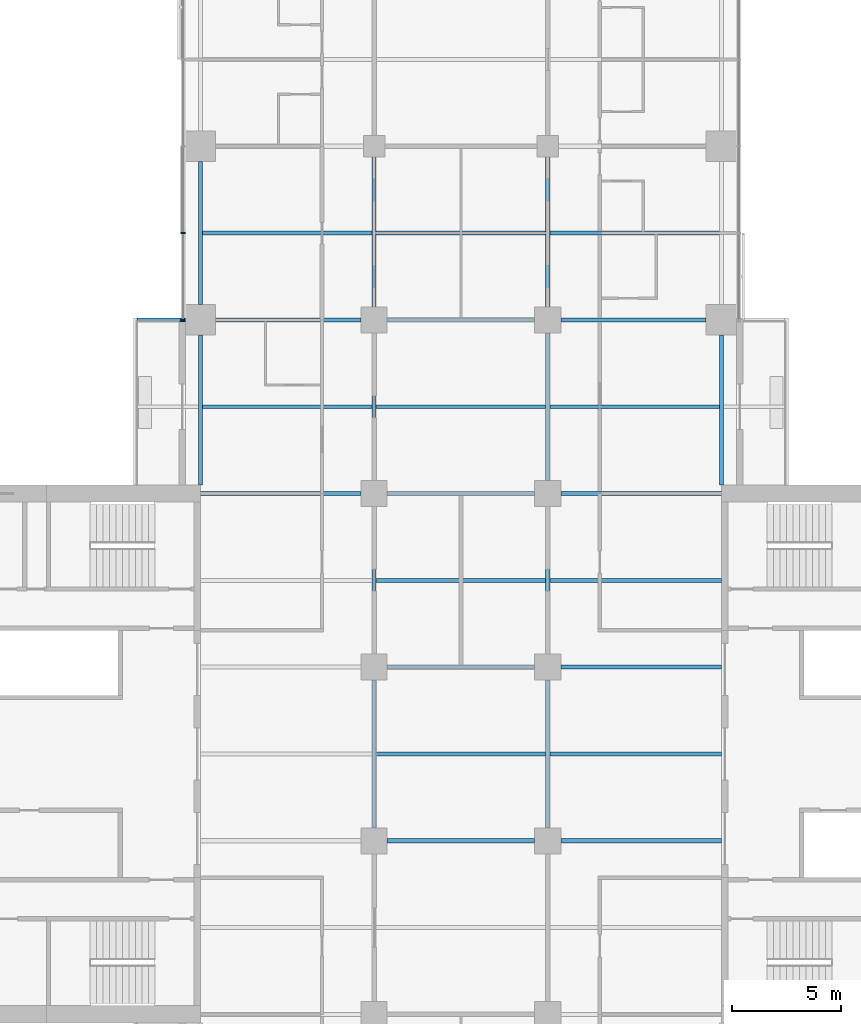
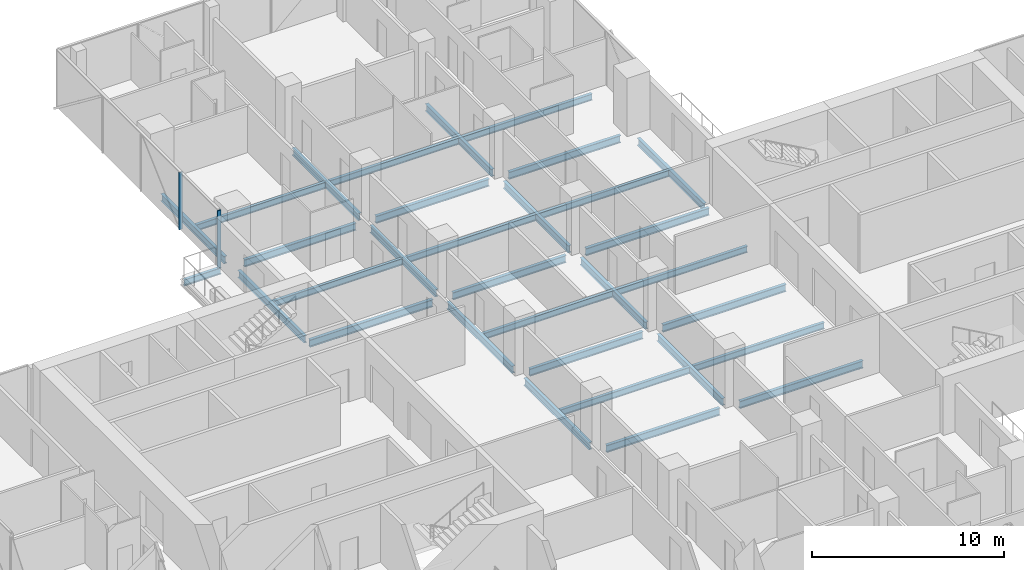
# One storey, part 9 of 27: 32 beams, 2 members, 1 element without a shape of its own.
"""IFC4 building model written with IfcOpenShell, lengths in metres."""

import ifcopenshell
import ifcopenshell.guid

model = None  # the IFC model being written
_history = None  # IfcOwnerHistory: only IFC2X3 demands one
_inside = {}  # id of a spatial element -> (the spatial element, [elements in it])
_under = {}  # id of a project, library or spatial element -> (it, [spatial elements below it])
_declared = {}  # id of a project -> (the project, [libraries it declares])
_typed = {}  # id of a type object -> (the type object, [elements of that type])
_made_of = {}  # id of a material, layer set ... -> (it, [elements and type objects made of it])


def new_model(schema):
    """Start an empty IFC model of exactly this schema.

    Asked for "IFC4X3", IfcOpenShell would pick the latest addendum, in which some entities
    have other attributes; the version numbers below select the first issue.
    IFC2X3 requires an IfcOwnerHistory on every rooted entity: one is made here for all.
    """
    global model, _history
    if schema == "IFC4X3":
        model = ifcopenshell.file(schema_version=(4, 3, 0, 0))
    else:
        model = ifcopenshell.file(schema=schema)
    _inside.clear()
    _under.clear()
    _declared.clear()
    _typed.clear()
    _made_of.clear()
    _history = None
    if model.schema == "IFC2X3":
        org = make("IfcOrganization", Name="unknown")
        user = make(
            "IfcPersonAndOrganization",
            ThePerson=make("IfcPerson", FamilyName="unknown"),
            TheOrganization=org,
        )
        app = make(
            "IfcApplication",
            ApplicationDeveloper=org,
            Version="unknown",
            ApplicationFullName="unknown",
            ApplicationIdentifier="unknown",
        )
        _history = make(
            "IfcOwnerHistory",
            OwningUser=user,
            OwningApplication=app,
            ChangeAction="ADDED",
            CreationDate=0,
        )
    return model


def make(cls, **values):
    """One entity of the class cls with the attributes given. An attribute that is None is left unset."""
    return model.create_entity(
        cls, **{name: value for name, value in values.items() if value is not None}
    )


def rooted(cls, **values):
    """An entity with a GlobalId (a new one), such as an element, a storey or a relation."""
    return make(cls, GlobalId=ifcopenshell.guid.new(), OwnerHistory=_history, **values)


def si_unit(unit_type, name, prefix=None):
    """IfcSIUnit, for example si_unit("LENGTHUNIT", "METRE", prefix="MILLI")."""
    return make("IfcSIUnit", UnitType=unit_type, Prefix=prefix, Name=name)


def assignment(units):
    """IfcUnitAssignment: the units of a project."""
    return None if units is None else make("IfcUnitAssignment", Units=units)


def point(xyz):
    """IfcCartesianPoint."""
    return None if xyz is None else make("IfcCartesianPoint", Coordinates=xyz)


def direction(xyz):
    """IfcDirection."""
    return None if xyz is None else make("IfcDirection", DirectionRatios=xyz)


def frame(location, z_axis=None, x_axis=None):
    """IfcAxis2Placement3D, a coordinate frame: its origin and axes. An axis left out is left unset."""
    return make(
        "IfcAxis2Placement3D",
        Location=point(location),
        Axis=direction(z_axis),
        RefDirection=direction(x_axis),
    )


def frame_2d(location, x_axis=None):
    """IfcAxis2Placement2D, a coordinate frame in the plane: its origin and x axis."""
    return make(
        "IfcAxis2Placement2D", Location=point(location), RefDirection=direction(x_axis)
    )


def origin():
    """The frame at (0, 0, 0) with its axes left unset."""
    return frame((0.0, 0.0, 0.0))


def origin_2d():
    """The frame at (0, 0) in the plane with its x axis left unset."""
    return frame_2d((0.0, 0.0))


def place(relative_to, where):
    """IfcLocalPlacement: puts the frame where relative to a parent placement (None: the world)."""
    return make(
        "IfcLocalPlacement", PlacementRelTo=relative_to, RelativePlacement=where
    )


def context(
    kind, dimensions, precision=None, world=None, true_north=None, identifier=None
):
    """IfcGeometricRepresentationContext, for example the 3D "Model" context."""
    return make(
        "IfcGeometricRepresentationContext",
        ContextIdentifier=identifier,
        ContextType=kind,
        CoordinateSpaceDimension=dimensions,
        Precision=precision,
        WorldCoordinateSystem=world,
        TrueNorth=true_north,
    )


def subcontext(parent, identifier, kind, view, scale=None):
    """IfcGeometricRepresentationSubContext, for example "Body" below "Model"."""
    return make(
        "IfcGeometricRepresentationSubContext",
        ContextIdentifier=identifier,
        ContextType=kind,
        ParentContext=parent,
        TargetScale=scale,
        TargetView=view,
    )


def project(units=None, contexts=None):
    """IfcProject with its units and contexts."""
    return rooted(
        "IfcProject",
        Name="project",
        RepresentationContexts=contexts,
        UnitsInContext=assignment(units),
    )


def spatial(cls, under=None, at=None, **own):
    """A site, building, storey or space (cls), placed at a placement, below another one or the project."""
    s = rooted(cls, ObjectPlacement=at, **own)
    if under is not None:
        _under.setdefault(under.id(), (under, []))[1].append(s)
    return s


def profile(cls, at=None, kind="AREA", **sizes):
    """A parametric profile (cls). Its sizes go by their IFC names, for example OverallWidth=200.0."""
    return make(cls, ProfileType=kind, Position=at, **sizes)


def rectangle(**sizes):
    """IfcRectangleProfileDef."""
    return profile("IfcRectangleProfileDef", **sizes)


def i_section(**sizes):
    """IfcIShapeProfileDef."""
    return profile("IfcIShapeProfileDef", **sizes)


def extrude(swept, where, along, depth):
    """IfcExtrudedAreaSolid: the profile swept, set in the frame where, extruded along a direction by depth."""
    return make(
        "IfcExtrudedAreaSolid",
        SweptArea=swept,
        Position=where,
        ExtrudedDirection=direction(along),
        Depth=depth,
    )


def shape(context_of_items, identifier, shape_type, items):
    """IfcShapeRepresentation: the items that make up one representation, for example the "Body"."""
    return make(
        "IfcShapeRepresentation",
        ContextOfItems=context_of_items,
        RepresentationIdentifier=identifier,
        RepresentationType=shape_type,
        Items=items,
    )


def material(Name=None, Category=None):
    """IfcMaterial."""
    return make("IfcMaterial", Name=Name, Category=Category)


def material_profile(
    of_material, cross_section, Name=None, Category=None, Priority=None
):
    """IfcMaterialProfile: a cross section and its material."""
    return make(
        "IfcMaterialProfile",
        Name=Name,
        Material=of_material,
        Profile=cross_section,
        Priority=Priority,
        Category=Category,
    )


def profile_set(profiles, Name=None, composite=None):
    """IfcMaterialProfileSet."""
    return make(
        "IfcMaterialProfileSet",
        Name=Name,
        MaterialProfiles=profiles,
        CompositeProfile=composite,
    )


def made_of(thing, what):
    """Note that an element or type object is made of a material, layer set ...; save() writes the relation."""
    if what is not None:
        _made_of.setdefault(what.id(), (what, []))[1].append(thing)
    return thing


def type_object(cls, material=None, **own):
    """A type object (cls), such as IfcWallType, which elements share."""
    return made_of(rooted(cls, **own), material)


def element(
    cls,
    number,
    at=None,
    inside=None,
    cuts=None,
    type_object=None,
    material=None,
    context=None,
    identifier="Body",
    shape_type=None,
    held_by="IfcProductDefinitionShape",
    body=None,
    shapes=None,
    **own,
):
    """One element of the class cls, such as IfcWall. Its Tag is "e" and its number.

    at: its placement. inside: the storey or other place that contains it. cuts: it is an
    opening in that element (IfcRelVoidsElement). A single representation is given by context,
    identifier, shape_type and body (its items); several are given by shapes. held_by: the class
    of the entity that holds the representations. save() writes the other relations.
    """
    e = rooted(cls, Tag="e%d" % number, ObjectPlacement=at, **own)
    if body is not None:
        shapes = [shape(context, identifier, shape_type, body)]
    if shapes is not None:
        e.Representation = make(held_by, Representations=shapes)
    if inside is not None:
        _inside.setdefault(inside.id(), (inside, []))[1].append(e)
    if cuts is not None:
        rooted(
            "IfcRelVoidsElement", RelatingBuildingElement=cuts, RelatedOpeningElement=e
        )
    if type_object is not None:
        _typed.setdefault(type_object.id(), (type_object, []))[1].append(e)
    return made_of(e, material)


def aggregate(whole, parts):
    """IfcRelAggregates: a whole, such as a stair, and the parts it consists of."""
    return rooted("IfcRelAggregates", RelatingObject=whole, RelatedObjects=parts)


def save(model, path):
    """Write the relations noted so far, then the file.

    IfcRelAggregates (storeys below a building ...), IfcRelContainedInSpatialStructure (elements
    in a storey), IfcRelDefinesByType, IfcRelAssociatesMaterial and IfcRelDeclares: one each for
    every whole, place, type object, material and project.
    """
    for whole, parts in _under.values():
        aggregate(whole, parts)
    for where, things in _inside.values():
        rooted(
            "IfcRelContainedInSpatialStructure",
            RelatedElements=things,
            RelatingStructure=where,
        )
    for kind, things in _typed.values():
        rooted("IfcRelDefinesByType", RelatedObjects=things, RelatingType=kind)
    for what, things in _made_of.values():
        rooted("IfcRelAssociatesMaterial", RelatedObjects=things, RelatingMaterial=what)
    for by, libraries in _declared.values():
        rooted("IfcRelDeclares", RelatingContext=by, RelatedDefinitions=libraries)
    model.write(path)


model = new_model("IFC4")

# Units and contexts
model_context = context("Model", 3, precision=1e-05, world=origin(), true_north=direction((0.0, 1.0)))
body_context = subcontext(model_context, "Body", "Model", "MODEL_VIEW")
ifc_project = project(units=[si_unit("LENGTHUNIT", "METRE"), si_unit("AREAUNIT", "SQUARE_METRE"), si_unit("VOLUMEUNIT", "CUBIC_METRE"), si_unit("PLANEANGLEUNIT", "RADIAN"), si_unit("MASSUNIT", "GRAM", prefix="KILO")], contexts=[model_context])

# Site, building, storey
site_placement = place(None, origin())
site = spatial("IfcSite", under=ifc_project, at=site_placement, CompositionType="ELEMENT")
building_placement = place(site_placement, origin())
building = spatial("IfcBuilding", under=site, at=building_placement, Name="Crosswind Convention Tower", CompositionType="ELEMENT")
storey_placement = place(building_placement, frame((0.0, 0.0, 79.39990234375)))
storey = spatial("IfcBuildingStorey", under=building, at=storey_placement, Name="L14", CompositionType="ELEMENT", Elevation=79.39990234375)

# Beams
ifc_material_1 = material(Name="Steel S355", Category="steel")
ifc_material_profile_1 = material_profile(ifc_material_1, i_section(OverallWidth=0.177734375, OverallDepth=0.406494140625, WebThickness=0.0078125, FlangeThickness=0.0126953125, FilletRadius=0.01025390625, at=origin_2d()), Name="UB 406x178x60")
ifc_profile_set_1 = profile_set([ifc_material_profile_1], Name="Steel S355")
beam_type_1 = type_object("IfcBeamType", Name="Balcony cantilever UB 406x178x60", PredefinedType="BEAM", material=ifc_profile_set_1)
beam_1_placement = place(storey_placement, frame((112.300048828125, 120.0, -0.483154296875), z_axis=(-1.0, 0.0, 0.0), x_axis=(0.0, -1.0, 0.0)))
element("IfcBeam", 1, at=beam_1_placement, inside=storey, type_object=beam_type_1, Name="B35 L14 balcony cantilever NW 5", PredefinedType="BEAM", context=body_context, shape_type="SweptSolid", body=[
    extrude(i_section(OverallWidth=0.177734375, OverallDepth=0.406494140625, WebThickness=0.0078125, FlangeThickness=0.0126953125, FilletRadius=0.01025390625, at=origin_2d()), origin(), (0.0, 0.0, 1.0), 2.214599609375),
])
ifc_material_profile_2 = material_profile(ifc_material_1, i_section(OverallWidth=0.1904296875, OverallDepth=0.457275390625, WebThickness=0.009033203125, FlangeThickness=0.014404296875, FilletRadius=0.01025390625, at=origin_2d()), Name="UB 457x191x75")
ifc_profile_set_2 = profile_set([ifc_material_profile_2], Name="Steel S355")
beam_type_2 = type_object("IfcBeamType", Name="Edge beam UB 457x191x75", PredefinedType="SPANDREL", material=ifc_profile_set_2)
beam_2_placement = place(storey_placement, frame((113.0, 112.39990234375, -0.508544921875), z_axis=(0.0, 1.0, 0.0), x_axis=(-1.0, 0.0, 0.0)))
element("IfcBeam", 2, at=beam_2_placement, inside=storey, type_object=beam_type_2, Name="B17 L14 edge beam 9", PredefinedType="SPANDREL", context=body_context, shape_type="SweptSolid", body=[
    extrude(i_section(OverallWidth=0.1904296875, OverallDepth=0.457275390625, WebThickness=0.009033203125, FlangeThickness=0.014404296875, FilletRadius=0.01025390625, at=origin_2d()), origin(), (0.0, 0.0, 1.0), 6.900146484375),
])
beam_3_placement = place(storey_placement, frame((113.0, 120.699951171875, -0.508544921875), z_axis=(0.0, 1.0, 0.0), x_axis=(-1.0, 0.0, 0.0)))
element("IfcBeam", 3, at=beam_3_placement, inside=storey, type_object=beam_type_2, Name="B17 L14 edge beam 10", PredefinedType="SPANDREL", context=body_context, shape_type="SweptSolid", body=[
    extrude(i_section(OverallWidth=0.1904296875, OverallDepth=0.457275390625, WebThickness=0.009033203125, FlangeThickness=0.014404296875, FilletRadius=0.01025390625, at=origin_2d()), origin(), (0.0, 0.0, 1.0), 6.60009765625),
])
beam_4_placement = place(storey_placement, frame((137.0, 112.39990234375, -0.508544921875), z_axis=(0.0, 1.0, 0.0), x_axis=(-1.0, 0.0, 0.0)))
element("IfcBeam", 4, at=beam_4_placement, inside=storey, type_object=beam_type_2, Name="B17 L14 edge beam 21", PredefinedType="SPANDREL", context=body_context, shape_type="SweptSolid", body=[
    extrude(i_section(OverallWidth=0.1904296875, OverallDepth=0.457275390625, WebThickness=0.009033203125, FlangeThickness=0.014404296875, FilletRadius=0.01025390625, at=origin_2d()), origin(), (0.0, 0.0, 1.0), 6.900146484375),
])
ifc_material_profile_3 = material_profile(ifc_material_1, i_section(OverallWidth=0.19140625, OverallDepth=0.460205078125, WebThickness=0.010009765625, FlangeThickness=0.01611328125, FilletRadius=0.01025390625, at=origin_2d()), Name="UB 457x191x82")
ifc_profile_set_3 = profile_set([ifc_material_profile_3], Name="Steel S355")
beam_type_3 = type_object("IfcBeamType", Name="Girder UB 457x191x82", PredefinedType="BEAM", material=ifc_profile_set_3)
beam_5_placement = place(storey_placement, frame((113.699951171875, 120.0, -0.510009765625), z_axis=(1.0, 0.0, 0.0), x_axis=(0.0, 1.0, 0.0)))
element("IfcBeam", 5, at=beam_5_placement, inside=storey, type_object=beam_type_3, Name="B3 L14 girder 3", PredefinedType="BEAM", context=body_context, shape_type="SweptSolid", body=[
    extrude(i_section(OverallWidth=0.19140625, OverallDepth=0.460205078125, WebThickness=0.010009765625, FlangeThickness=0.01611328125, FilletRadius=0.01025390625, at=origin_2d()), origin(), (0.0, 0.0, 1.0), 6.699951171875),
])
for number, where, z_axis, x_axis, name in (
    (6, (121.0, 96.60009765625, -0.510009765625), (0.0, 1.0, 0.0), (-1.0, 0.0, 0.0), "B3 L14 girder 9"),
    (7, (121.0, 104.60009765625, -0.510009765625), (0.0, 1.0, 0.0), (-1.0, 0.0, 0.0), "B3 L14 girder 10"),
    (8, (121.0, 112.60009765625, -0.510009765625), (0.0, 1.0, 0.0), (-1.0, 0.0, 0.0), "B3 L14 girder 11"),
):
    element("IfcBeam", number, at=place(storey_placement, frame(where, z_axis=z_axis, x_axis=x_axis)), inside=storey, type_object=beam_type_3, Name=name, PredefinedType="BEAM", context=body_context, shape_type="SweptSolid", body=[
        extrude(i_section(OverallWidth=0.19140625, OverallDepth=0.460205078125, WebThickness=0.010009765625, FlangeThickness=0.01611328125, FilletRadius=0.01025390625, at=origin_2d()), origin(), (0.0, 0.0, 1.0), 6.7998046875),
    ])
beam_6_placement = place(storey_placement, frame((121.0, 120.60009765625, -0.510009765625), z_axis=(0.0, 1.0, 0.0), x_axis=(-1.0, 0.0, 0.0)))
element("IfcBeam", 9, at=beam_6_placement, inside=storey, type_object=beam_type_3, Name="B3 L14 girder 12", PredefinedType="BEAM", context=body_context, shape_type="SweptSolid", body=[
    extrude(i_section(OverallWidth=0.19140625, OverallDepth=0.460205078125, WebThickness=0.010009765625, FlangeThickness=0.01611328125, FilletRadius=0.01025390625, at=origin_2d()), origin(), (0.0, 0.0, 1.0), 6.89990234375),
])
for number, where, z_axis, x_axis, name in (
    (10, (121.60009765625, 96.0, -0.510009765625), (1.0, 0.0, 0.0), (0.0, 1.0, 0.0), "B3 L14 girder 18"),
    (11, (121.60009765625, 104.0, -0.510009765625), (1.0, 0.0, 0.0), (0.0, 1.0, 0.0), "B3 L14 girder 19"),
    (12, (121.60009765625, 112.0, -0.510009765625), (1.0, 0.0, 0.0), (0.0, 1.0, 0.0), "B3 L14 girder 20"),
    (13, (121.60009765625, 120.0, -0.510009765625), (1.0, 0.0, 0.0), (0.0, 1.0, 0.0), "B3 L14 girder 21"),
    (14, (129.0, 96.60009765625, -0.510009765625), (0.0, 1.0, 0.0), (-1.0, 0.0, 0.0), "B3 L14 girder 26"),
    (15, (129.0, 104.60009765625, -0.510009765625), (0.0, 1.0, 0.0), (-1.0, 0.0, 0.0), "B3 L14 girder 27"),
    (16, (129.0, 112.60009765625, -0.510009765625), (0.0, 1.0, 0.0), (-1.0, 0.0, 0.0), "B3 L14 girder 28"),
):
    element("IfcBeam", number, at=place(storey_placement, frame(where, z_axis=z_axis, x_axis=x_axis)), inside=storey, type_object=beam_type_3, Name=name, PredefinedType="BEAM", context=body_context, shape_type="SweptSolid", body=[
        extrude(i_section(OverallWidth=0.19140625, OverallDepth=0.460205078125, WebThickness=0.010009765625, FlangeThickness=0.01611328125, FilletRadius=0.01025390625, at=origin_2d()), origin(), (0.0, 0.0, 1.0), 6.7998046875),
    ])
beam_7_placement = place(storey_placement, frame((129.0, 120.60009765625, -0.510009765625), z_axis=(0.0, 1.0, 0.0), x_axis=(-1.0, 0.0, 0.0)))
element("IfcBeam", 17, at=beam_7_placement, inside=storey, type_object=beam_type_3, Name="B3 L14 girder 29", PredefinedType="BEAM", context=body_context, shape_type="SweptSolid", body=[
    extrude(i_section(OverallWidth=0.19140625, OverallDepth=0.460205078125, WebThickness=0.010009765625, FlangeThickness=0.01611328125, FilletRadius=0.01025390625, at=origin_2d()), origin(), (0.0, 0.0, 1.0), 6.89990234375),
])
beam_8_placement = place(storey_placement, frame((129.60009765625, 120.0, -0.510009765625), z_axis=(1.0, 0.0, 0.0), x_axis=(0.0, 1.0, 0.0)))
element("IfcBeam", 18, at=beam_8_placement, inside=storey, type_object=beam_type_3, Name="B3 L14 girder 34", PredefinedType="BEAM", context=body_context, shape_type="SweptSolid", body=[
    extrude(i_section(OverallWidth=0.19140625, OverallDepth=0.460205078125, WebThickness=0.010009765625, FlangeThickness=0.01611328125, FilletRadius=0.01025390625, at=origin_2d()), origin(), (0.0, 0.0, 1.0), 6.699951171875),
])
ifc_material_profile_4 = material_profile(ifc_material_1, i_section(OverallWidth=0.19189453125, OverallDepth=0.463623046875, WebThickness=0.010498046875, FlangeThickness=0.017578125, FilletRadius=0.01025390625, at=origin_2d()), Name="UB 457x191x90")
ifc_profile_set_4 = profile_set([ifc_material_profile_4], Name="Steel S355")
beam_type_4 = type_object("IfcBeamType", Name="Girder at core wall UB 457x191x90", PredefinedType="BEAM", material=ifc_profile_set_4)
for number, where, z_axis, x_axis, name in (
    (19, (113.0, 112.0, -0.51171875), (1.0, 0.0, 0.0), (0.0, 1.0, 0.0), "B24 L14 girder at core wall 6"),
    (20, (129.60009765625, 96.0, -0.51171875), (1.0, 0.0, 0.0), (0.0, 1.0, 0.0), "B24 L14 girder at core wall 8"),
    (21, (129.60009765625, 104.0, -0.51171875), (1.0, 0.0, 0.0), (0.0, 1.0, 0.0), "B24 L14 girder at core wall 9"),
    (22, (129.60009765625, 112.0, -0.51171875), (1.0, 0.0, 0.0), (0.0, 1.0, 0.0), "B24 L14 girder at core wall 10"),
):
    element("IfcBeam", number, at=place(storey_placement, frame(where, z_axis=z_axis, x_axis=x_axis)), inside=storey, type_object=beam_type_4, Name=name, PredefinedType="BEAM", context=body_context, shape_type="SweptSolid", body=[
        extrude(i_section(OverallWidth=0.19189453125, OverallDepth=0.463623046875, WebThickness=0.010498046875, FlangeThickness=0.017578125, FilletRadius=0.01025390625, at=origin_2d()), origin(), (0.0, 0.0, 1.0), 7.39990234375),
    ])

# Curtain wall, members
ifc_material_2 = material(Name="Aluminium unitised curtain wall", Category="aluminium")
curtain_wall_type = type_object("IfcCurtainWallType", Name="HOTEL UNITISED WALL 200", PredefinedType="USERDEFINED", material=ifc_material_2)
curtain_wall_placement = place(storey_placement, origin())
curtain_wall = element("IfcCurtainWall", 23, at=curtain_wall_placement, inside=storey, type_object=curtain_wall_type, Name="CW2 L14 N-W 1", ObjectType="UNITISED", PredefinedType="USERDEFINED")
ifc_material_3 = material(Name="Aluminium mullion", Category="aluminium")
ifc_material_profile_5 = material_profile(ifc_material_3, rectangle(XDim=0.199951171875, YDim=0.06494140625, at=origin_2d()), Name="AL 200X65")
ifc_profile_set_5 = profile_set([ifc_material_profile_5], Name="Aluminium mullion")
member_type = type_object("IfcMemberType", Name="MULLION 65X200", PredefinedType="MULLION", material=ifc_profile_set_5)
member_1_placement = place(storey_placement, frame((112.199951171875, 124.0, -0.27978515625), z_axis=(0.0, 0.0, 1.0), x_axis=(-1.0, 0.0, 0.0)))
member_1 = element("IfcMember", 24, at=member_1_placement, type_object=member_type, Name="CW2 mullion 4", PredefinedType="MULLION", context=body_context, shape_type="SweptSolid", body=[
    extrude(rectangle(XDim=0.199951171875, YDim=0.06494140625, at=origin_2d()), origin(), (0.0, 0.0, 1.0), 3.634765625),
])
member_2_placement = place(storey_placement, frame((112.199951171875, 120.0, -0.27978515625), z_axis=(0.0, 0.0, 1.0), x_axis=(-1.0, 0.0, 0.0)))
member_2 = element("IfcMember", 25, at=member_2_placement, type_object=member_type, Name="CW2 mullion 5", PredefinedType="MULLION", context=body_context, shape_type="SweptSolid", body=[
    extrude(rectangle(XDim=0.199951171875, YDim=0.06494140625, at=origin_2d()), origin(), (0.0, 0.0, 1.0), 3.634765625),
])
aggregate(curtain_wall, [member_1, member_2])

# Beams
ifc_material_profile_6 = material_profile(ifc_material_1, i_section(OverallWidth=0.177734375, OverallDepth=0.406494140625, WebThickness=0.0078125, FlangeThickness=0.0126953125, FilletRadius=0.01025390625, at=origin_2d()), Name="UB 406x178x60")
ifc_profile_set_6 = profile_set([ifc_material_profile_6], Name="Steel S355")
beam_type_5 = type_object("IfcBeamType", Name="Secondary beam UB 406x178x60", PredefinedType="JOIST", material=ifc_profile_set_6)
for number, where, z_axis, x_axis, name in (
    (26, (113.09521484375, 116.0, -0.483154296875), (1.0, 0.0, 0.0), (0.0, 1.0, 0.0), "B10 L14 secondary beam 10"),
    (27, (113.09521484375, 124.0, -0.483154296875), (1.0, 0.0, 0.0), (0.0, 1.0, 0.0), "B10 L14 secondary beam 11"),
):
    element("IfcBeam", number, at=place(storey_placement, frame(where, z_axis=z_axis, x_axis=x_axis)), inside=storey, type_object=beam_type_5, Name=name, PredefinedType="JOIST", context=body_context, shape_type="SweptSolid", body=[
        extrude(i_section(OverallWidth=0.177734375, OverallDepth=0.406494140625, WebThickness=0.0078125, FlangeThickness=0.0126953125, FilletRadius=0.01025390625, at=origin_2d()), origin(), (0.0, 0.0, 1.0), 7.80908203125),
    ])
for number, where, z_axis, x_axis, name in (
    (28, (121.095703125, 100.0, -0.483154296875), (1.0, 0.0, 0.0), (0.0, 1.0, 0.0), "B10 L14 secondary beam 17"),
    (29, (121.095703125, 108.0, -0.483154296875), (1.0, 0.0, 0.0), (0.0, 1.0, 0.0), "B10 L14 secondary beam 18"),
    (30, (121.095703125, 116.0, -0.483154296875), (1.0, 0.0, 0.0), (0.0, 1.0, 0.0), "B10 L14 secondary beam 19"),
    (31, (121.095703125, 124.0, -0.483154296875), (1.0, 0.0, 0.0), (0.0, 1.0, 0.0), "B10 L14 secondary beam 20"),
):
    element("IfcBeam", number, at=place(storey_placement, frame(where, z_axis=z_axis, x_axis=x_axis)), inside=storey, type_object=beam_type_5, Name=name, PredefinedType="JOIST", context=body_context, shape_type="SweptSolid", body=[
        extrude(i_section(OverallWidth=0.177734375, OverallDepth=0.406494140625, WebThickness=0.0078125, FlangeThickness=0.0126953125, FilletRadius=0.01025390625, at=origin_2d()), origin(), (0.0, 0.0, 1.0), 7.80859375),
    ])
for number, where, z_axis, x_axis, name in (
    (32, (129.095703125, 100.0, -0.483154296875), (1.0, 0.0, 0.0), (0.0, 1.0, 0.0), "B10 L14 secondary beam 26"),
    (33, (129.095703125, 108.0, -0.483154296875), (1.0, 0.0, 0.0), (0.0, 1.0, 0.0), "B10 L14 secondary beam 27"),
):
    element("IfcBeam", number, at=place(storey_placement, frame(where, z_axis=z_axis, x_axis=x_axis)), inside=storey, type_object=beam_type_5, Name=name, PredefinedType="JOIST", context=body_context, shape_type="SweptSolid", body=[
        extrude(i_section(OverallWidth=0.177734375, OverallDepth=0.406494140625, WebThickness=0.0078125, FlangeThickness=0.0126953125, FilletRadius=0.01025390625, at=origin_2d()), origin(), (0.0, 0.0, 1.0), 7.904296875),
    ])
for number, where, z_axis, x_axis, name in (
    (34, (129.095703125, 116.0, -0.483154296875), (1.0, 0.0, 0.0), (0.0, 1.0, 0.0), "B10 L14 secondary beam 28"),
    (35, (129.095703125, 124.0, -0.483154296875), (1.0, 0.0, 0.0), (0.0, 1.0, 0.0), "B10 L14 secondary beam 29"),
):
    element("IfcBeam", number, at=place(storey_placement, frame(where, z_axis=z_axis, x_axis=x_axis)), inside=storey, type_object=beam_type_5, Name=name, PredefinedType="JOIST", context=body_context, shape_type="SweptSolid", body=[
        extrude(i_section(OverallWidth=0.177734375, OverallDepth=0.406494140625, WebThickness=0.0078125, FlangeThickness=0.0126953125, FilletRadius=0.01025390625, at=origin_2d()), origin(), (0.0, 0.0, 1.0), 7.80908203125),
    ])

save(model, "model.ifc")
